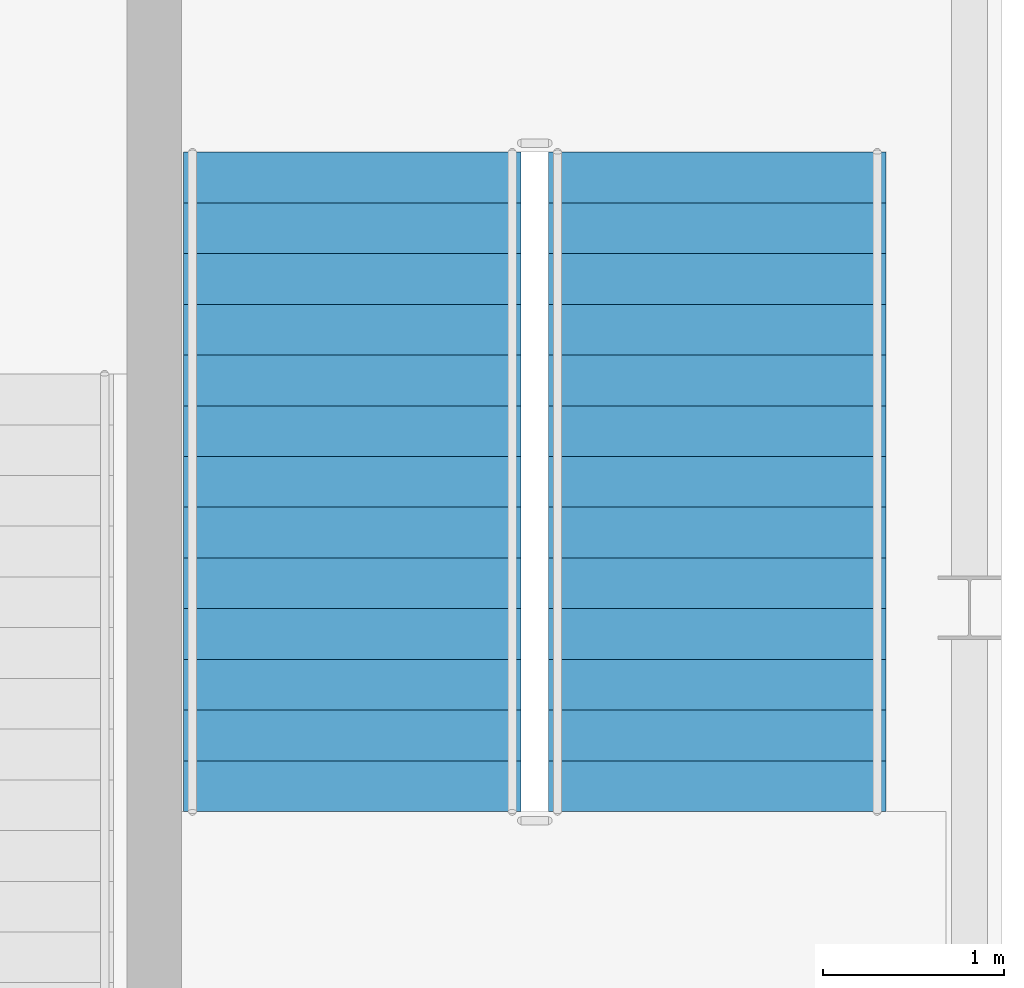
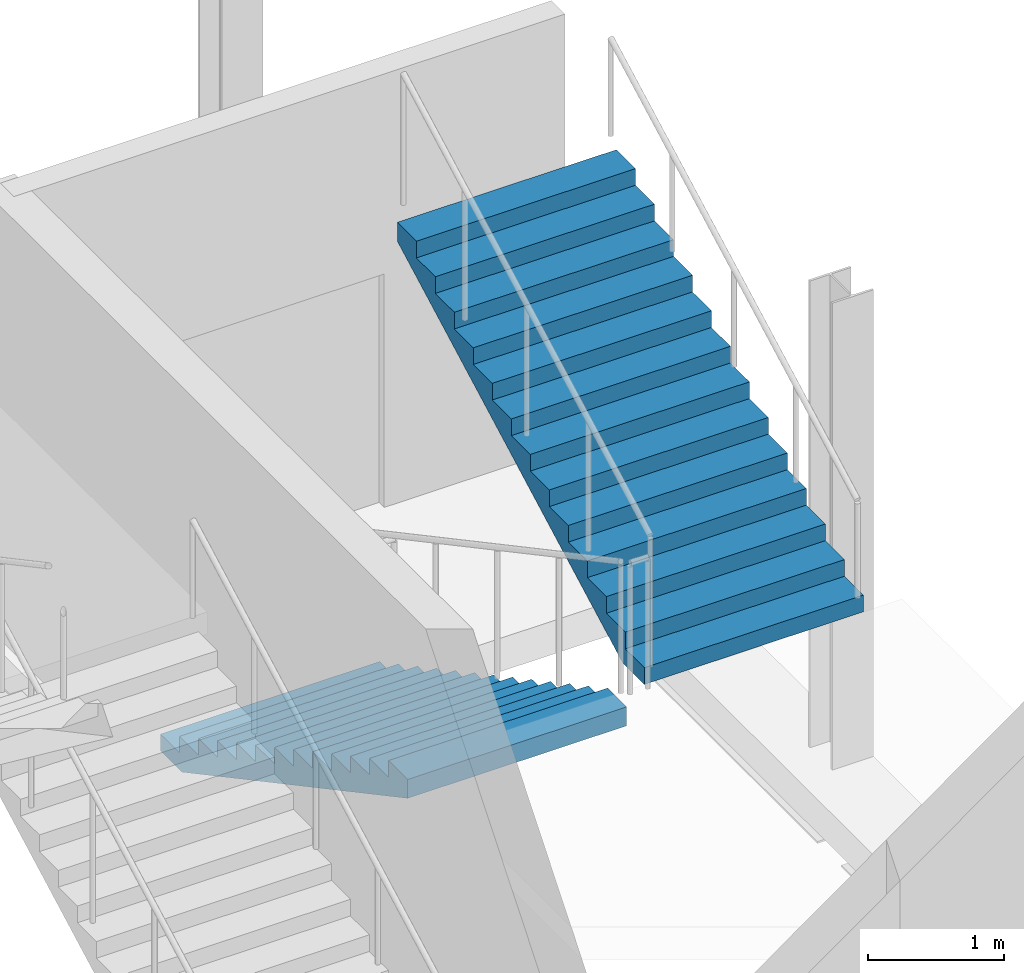
# One storey, part 5 of 6: 2 stair flights, 1 element without a shape of its own.
"""IFC4 building model written with IfcOpenShell, lengths in metres."""

from ifc_helpers import new_model, si_unit, direction, frame, origin, place, context, subcontext, project, spatial, polygons, material, type_object, element, aggregate, save


model = new_model("IFC4")

# Units and contexts
model_context = context("Model", 3, precision=1e-05, world=origin(), true_north=direction((0.0, 1.0)))
body_context = subcontext(model_context, "Body", "Model", "MODEL_VIEW")
ifc_project = project(units=[si_unit("LENGTHUNIT", "METRE"), si_unit("AREAUNIT", "SQUARE_METRE"), si_unit("VOLUMEUNIT", "CUBIC_METRE"), si_unit("PLANEANGLEUNIT", "RADIAN"), si_unit("MASSUNIT", "GRAM", prefix="KILO")], contexts=[model_context])

# Site, building, storey
site_placement = place(None, origin())
site = spatial("IfcSite", under=ifc_project, at=site_placement, CompositionType="ELEMENT")
building_placement = place(site_placement, origin())
building = spatial("IfcBuilding", under=site, at=building_placement, Name="Caravel Reach Hotel and Residences", CompositionType="ELEMENT")
storey_placement = place(building_placement, frame((0.0, 0.0, 321.199951171875)))
storey = spatial("IfcBuildingStorey", under=building, at=storey_placement, Name="L81", CompositionType="ELEMENT", Elevation=321.199951171875)

# Stair, stair flights
ifc_material_1 = material(Name="Concrete C40", Category="concrete")
stair_type = type_object("IfcStairType", Name="Core stair", PredefinedType="HALF_TURN_STAIR", material=ifc_material_1)
stair_placement = place(storey_placement, origin())
stair = element("IfcStair", 1, at=stair_placement, inside=storey, type_object=stair_type, Name="L81 Exit stair C", PredefinedType="HALF_TURN_STAIR")
ifc_material_2 = material(Name="Concrete C40", Category="concrete")
stair_flight_type = type_object("IfcStairFlightType", Name="Core stair flight", PredefinedType="STRAIGHT", material=ifc_material_2)
stair_flight_1_placement = place(storey_placement, frame((46.092529296875, 29.514892578125, 0.0), z_axis=(0.0, 0.0, 1.0), x_axis=(0.0, -1.0, 0.0)))
stair_flight_1 = element("IfcStairFlight", 2, at=stair_flight_1_placement, type_object=stair_flight_type, Name="ST-C flight 1", NumberOfRisers=14, NumberOfTreads=13, PredefinedType="STRAIGHT", RiserHeight=0.15, TreadLength=0.28, context=body_context, shape_type="Tessellation", body=[
    polygons([(0.3174408016601862, 0.9324951171875, 0.0), (0.3174408016601862, 0.6216634114583333, 0.0), (0.3174408016601862, 0.31083170572916663, 0.0), (0.3174408016601862, 0.0, 0.0), (0.3174408016601862, -0.31083170572916674, 0.0), (0.3174408016601862, -0.6216634114583333, 0.0), (0.3174408016601862, -0.9324951171875, 0.0), (3.6410000000000005, 0.9324951171875, 1.7799424276820432), (3.6410000000000005, 0.6216634114583333, 1.7799424276820432), (3.6410000000000005, 0.31083170572916663, 1.7799424276820432), (3.6410000000000005, 0.0, 1.7799424276820432), (3.6410000000000005, -0.31083170572916674, 1.7799424276820432), (3.6410000000000005, -0.6216634114583333, 1.7799424276820432), (3.6410000000000005, -0.9324951171875, 1.7799424276820432), (3.6410000000000005, 0.9324951171875, 1.95), (3.6410000000000005, 0.6216634114583333, 1.95), (3.6410000000000005, 0.31083170572916663, 1.95), (3.6410000000000005, 0.0, 1.95), (3.6410000000000005, -0.31083170572916674, 1.95), (3.6410000000000005, -0.6216634114583333, 1.95), (3.6410000000000005, -0.9324951171875, 1.95), (3.3600000000000003, 0.9324951171875, 1.95), (3.3600000000000003, 0.6216634114583333, 1.95), (3.3600000000000003, 0.31083170572916663, 1.95), (3.3600000000000003, 0.0, 1.95), (3.3600000000000003, -0.31083170572916674, 1.95), (3.3600000000000003, -0.6216634114583333, 1.95), (3.3600000000000003, -0.9324951171875, 1.95), (3.3600000000000003, 0.9324951171875, 1.7999999999999998), (3.3600000000000003, 0.6216634114583333, 1.7999999999999998), (3.3600000000000003, 0.31083170572916663, 1.7999999999999998), (3.3600000000000003, 0.0, 1.7999999999999998), (3.3600000000000003, -0.31083170572916674, 1.7999999999999998), (3.3600000000000003, -0.6216634114583333, 1.7999999999999998), (3.3600000000000003, -0.9324951171875, 1.7999999999999998), (3.08, 0.9324951171875, 1.7999999999999998), (3.08, 0.6216634114583333, 1.7999999999999998), (3.08, 0.31083170572916663, 1.7999999999999998), (3.08, 0.0, 1.7999999999999998), (3.08, -0.31083170572916674, 1.7999999999999998), (3.08, -0.6216634114583333, 1.7999999999999998), (3.08, -0.9324951171875, 1.7999999999999998), (3.08, 0.9324951171875, 1.65), (3.08, 0.6216634114583333, 1.65), (3.08, 0.31083170572916663, 1.65), (3.08, 0.0, 1.65), (3.08, -0.31083170572916674, 1.65), (3.08, -0.6216634114583333, 1.65), (3.08, -0.9324951171875, 1.65), (2.8000000000000003, 0.9324951171875, 1.65), (2.8000000000000003, 0.6216634114583333, 1.65), (2.8000000000000003, 0.31083170572916663, 1.65), (2.8000000000000003, 0.0, 1.65), (2.8000000000000003, -0.31083170572916674, 1.65), (2.8000000000000003, -0.6216634114583333, 1.65), (2.8000000000000003, -0.9324951171875, 1.65), (2.8000000000000003, 0.9324951171875, 1.5), (2.8000000000000003, 0.6216634114583333, 1.5), (2.8000000000000003, 0.31083170572916663, 1.5), (2.8000000000000003, 0.0, 1.5), (2.8000000000000003, -0.31083170572916674, 1.5), (2.8000000000000003, -0.6216634114583333, 1.5), (2.8000000000000003, -0.9324951171875, 1.5), (2.5200000000000005, 0.9324951171875, 1.5), (2.5200000000000005, 0.6216634114583333, 1.5), (2.5200000000000005, 0.31083170572916663, 1.5), (2.5200000000000005, 0.0, 1.5), (2.5200000000000005, -0.31083170572916674, 1.5), (2.5200000000000005, -0.6216634114583333, 1.5), (2.5200000000000005, -0.9324951171875, 1.5), (2.5200000000000005, 0.9324951171875, 1.3499999999999999), (2.5200000000000005, 0.6216634114583333, 1.3499999999999999), (2.5200000000000005, 0.31083170572916663, 1.3499999999999999), (2.5200000000000005, 0.0, 1.3499999999999999), (2.5200000000000005, -0.31083170572916674, 1.3499999999999999), (2.5200000000000005, -0.6216634114583333, 1.3499999999999999), (2.5200000000000005, -0.9324951171875, 1.3499999999999999), (2.24, 0.9324951171875, 1.3499999999999999), (2.24, 0.6216634114583333, 1.3499999999999999), (2.24, 0.31083170572916663, 1.3499999999999999), (2.24, 0.0, 1.3499999999999999), (2.24, -0.31083170572916674, 1.3499999999999999), (2.24, -0.6216634114583333, 1.3499999999999999), (2.24, -0.9324951171875, 1.3499999999999999), (2.24, 0.9324951171875, 1.2), (2.24, 0.6216634114583333, 1.2), (2.24, 0.31083170572916663, 1.2), (2.24, 0.0, 1.2), (2.24, -0.31083170572916674, 1.2), (2.24, -0.6216634114583333, 1.2), (2.24, -0.9324951171875, 1.2), (1.9600000000000002, 0.9324951171875, 1.2), (1.9600000000000002, 0.6216634114583333, 1.2), (1.9600000000000002, 0.31083170572916663, 1.2), (1.9600000000000002, 0.0, 1.2), (1.9600000000000002, -0.31083170572916674, 1.2), (1.9600000000000002, -0.6216634114583333, 1.2), (1.9600000000000002, -0.9324951171875, 1.2), (1.9600000000000002, 0.9324951171875, 1.05), (1.9600000000000002, 0.6216634114583333, 1.05), (1.9600000000000002, 0.31083170572916663, 1.05), (1.9600000000000002, 0.0, 1.05), (1.9600000000000002, -0.31083170572916674, 1.05), (1.9600000000000002, -0.6216634114583333, 1.05), (1.9600000000000002, -0.9324951171875, 1.05), (1.6800000000000002, 0.9324951171875, 1.05), (1.6800000000000002, 0.6216634114583333, 1.05), (1.6800000000000002, 0.31083170572916663, 1.05), (1.6800000000000002, 0.0, 1.05), (1.6800000000000002, -0.31083170572916674, 1.05), (1.6800000000000002, -0.6216634114583333, 1.05), (1.6800000000000002, -0.9324951171875, 1.05), (1.6800000000000002, 0.9324951171875, 0.8999999999999999), (1.6800000000000002, 0.6216634114583333, 0.8999999999999999), (1.6800000000000002, 0.31083170572916663, 0.8999999999999999), (1.6800000000000002, 0.0, 0.8999999999999999), (1.6800000000000002, -0.31083170572916674, 0.8999999999999999), (1.6800000000000002, -0.6216634114583333, 0.8999999999999999), (1.6800000000000002, -0.9324951171875, 0.8999999999999999), (1.4000000000000001, 0.9324951171875, 0.8999999999999999), (1.4000000000000001, 0.6216634114583333, 0.8999999999999999), (1.4000000000000001, 0.31083170572916663, 0.8999999999999999), (1.4000000000000001, 0.0, 0.8999999999999999), (1.4000000000000001, -0.31083170572916674, 0.8999999999999999), (1.4000000000000001, -0.6216634114583333, 0.8999999999999999), (1.4000000000000001, -0.9324951171875, 0.8999999999999999), (1.4000000000000001, 0.9324951171875, 0.75), (1.4000000000000001, 0.6216634114583333, 0.75), (1.4000000000000001, 0.31083170572916663, 0.75), (1.4000000000000001, 0.0, 0.75), (1.4000000000000001, -0.31083170572916674, 0.75), (1.4000000000000001, -0.6216634114583333, 0.75), (1.4000000000000001, -0.9324951171875, 0.75), (1.12, 0.9324951171875, 0.75), (1.12, 0.6216634114583333, 0.75), (1.12, 0.31083170572916663, 0.75), (1.12, 0.0, 0.75), (1.12, -0.31083170572916674, 0.75), (1.12, -0.6216634114583333, 0.75), (1.12, -0.9324951171875, 0.75), (1.12, 0.9324951171875, 0.6), (1.12, 0.6216634114583333, 0.6), (1.12, 0.31083170572916663, 0.6), (1.12, 0.0, 0.6), (1.12, -0.31083170572916674, 0.6), (1.12, -0.6216634114583333, 0.6), (1.12, -0.9324951171875, 0.6), (0.8400000000000001, 0.9324951171875, 0.6), (0.8400000000000001, 0.6216634114583333, 0.6), (0.8400000000000001, 0.31083170572916663, 0.6), (0.8400000000000001, 0.0, 0.6), (0.8400000000000001, -0.31083170572916674, 0.6), (0.8400000000000001, -0.6216634114583333, 0.6), (0.8400000000000001, -0.9324951171875, 0.6), (0.8400000000000001, 0.9324951171875, 0.44999999999999996), (0.8400000000000001, 0.6216634114583333, 0.44999999999999996), (0.8400000000000001, 0.31083170572916663, 0.44999999999999996), (0.8400000000000001, 0.0, 0.44999999999999996), (0.8400000000000001, -0.31083170572916674, 0.44999999999999996), (0.8400000000000001, -0.6216634114583333, 0.44999999999999996), (0.8400000000000001, -0.9324951171875, 0.44999999999999996), (0.56, 0.9324951171875, 0.44999999999999996), (0.56, 0.6216634114583333, 0.44999999999999996), (0.56, 0.31083170572916663, 0.44999999999999996), (0.56, 0.0, 0.44999999999999996), (0.56, -0.31083170572916674, 0.44999999999999996), (0.56, -0.6216634114583333, 0.44999999999999996), (0.56, -0.9324951171875, 0.44999999999999996), (0.56, 0.9324951171875, 0.3), (0.56, 0.6216634114583333, 0.3), (0.56, 0.31083170572916663, 0.3), (0.56, 0.0, 0.3), (0.56, -0.31083170572916674, 0.3), (0.56, -0.6216634114583333, 0.3), (0.56, -0.9324951171875, 0.3), (0.28, 0.9324951171875, 0.3), (0.28, 0.6216634114583333, 0.3), (0.28, 0.31083170572916663, 0.3), (0.28, 0.0, 0.3), (0.28, -0.31083170572916674, 0.3), (0.28, -0.6216634114583333, 0.3), (0.28, -0.9324951171875, 0.3), (0.28, 0.9324951171875, 0.15), (0.28, 0.6216634114583333, 0.15), (0.28, 0.31083170572916663, 0.15), (0.28, 0.0, 0.15), (0.28, -0.31083170572916674, 0.15), (0.28, -0.6216634114583333, 0.15), (0.28, -0.9324951171875, 0.15), (-0.001, 0.9324951171875, 0.15), (-0.001, 0.6216634114583333, 0.15), (-0.001, 0.31083170572916663, 0.15), (-0.001, 0.0, 0.15), (-0.001, -0.31083170572916674, 0.15), (-0.001, -0.6216634114583333, 0.15), (-0.001, -0.9324951171875, 0.15), (-0.001, 0.9324951171875, 0.0), (-0.001, 0.6216634114583333, 0.0), (-0.001, 0.31083170572916663, 0.0), (-0.001, 0.0, 0.0), (-0.001, -0.31083170572916674, 0.0), (-0.001, -0.6216634114583333, 0.0), (-0.001, -0.9324951171875, 0.0)], [[[197, 190, 183, 176, 169, 162, 155, 148, 141, 134, 127, 120, 113, 106, 99, 92, 85, 78, 71, 64, 57, 50, 43, 36, 29, 22, 15, 8, 1]], [[7, 14, 21, 28, 35, 42, 49, 56, 63, 70, 77, 84, 91, 98, 105, 112, 119, 126, 133, 140, 147, 154, 161, 168, 175, 182, 189, 196, 203]], [[1, 8, 9, 2]], [[2, 9, 10, 3]], [[3, 10, 11, 4]], [[4, 11, 12, 5]], [[5, 12, 13, 6]], [[6, 13, 14, 7]], [[8, 15, 16, 9]], [[9, 16, 17, 10]], [[10, 17, 18, 11]], [[11, 18, 19, 12]], [[12, 19, 20, 13]], [[13, 20, 21, 14]], [[15, 22, 23, 16]], [[16, 23, 24, 17]], [[17, 24, 25, 18]], [[18, 25, 26, 19]], [[19, 26, 27, 20]], [[20, 27, 28, 21]], [[22, 29, 30, 23]], [[23, 30, 31, 24]], [[24, 31, 32, 25]], [[25, 32, 33, 26]], [[26, 33, 34, 27]], [[27, 34, 35, 28]], [[29, 36, 37, 30]], [[30, 37, 38, 31]], [[31, 38, 39, 32]], [[32, 39, 40, 33]], [[33, 40, 41, 34]], [[34, 41, 42, 35]], [[36, 43, 44, 37]], [[37, 44, 45, 38]], [[38, 45, 46, 39]], [[39, 46, 47, 40]], [[40, 47, 48, 41]], [[41, 48, 49, 42]], [[43, 50, 51, 44]], [[44, 51, 52, 45]], [[45, 52, 53, 46]], [[46, 53, 54, 47]], [[47, 54, 55, 48]], [[48, 55, 56, 49]], [[50, 57, 58, 51]], [[51, 58, 59, 52]], [[52, 59, 60, 53]], [[53, 60, 61, 54]], [[54, 61, 62, 55]], [[55, 62, 63, 56]], [[57, 64, 65, 58]], [[58, 65, 66, 59]], [[59, 66, 67, 60]], [[60, 67, 68, 61]], [[61, 68, 69, 62]], [[62, 69, 70, 63]], [[64, 71, 72, 65]], [[65, 72, 73, 66]], [[66, 73, 74, 67]], [[67, 74, 75, 68]], [[68, 75, 76, 69]], [[69, 76, 77, 70]], [[71, 78, 79, 72]], [[72, 79, 80, 73]], [[73, 80, 81, 74]], [[74, 81, 82, 75]], [[75, 82, 83, 76]], [[76, 83, 84, 77]], [[78, 85, 86, 79]], [[79, 86, 87, 80]], [[80, 87, 88, 81]], [[81, 88, 89, 82]], [[82, 89, 90, 83]], [[83, 90, 91, 84]], [[85, 92, 93, 86]], [[86, 93, 94, 87]], [[87, 94, 95, 88]], [[88, 95, 96, 89]], [[89, 96, 97, 90]], [[90, 97, 98, 91]], [[92, 99, 100, 93]], [[93, 100, 101, 94]], [[94, 101, 102, 95]], [[95, 102, 103, 96]], [[96, 103, 104, 97]], [[97, 104, 105, 98]], [[99, 106, 107, 100]], [[100, 107, 108, 101]], [[101, 108, 109, 102]], [[102, 109, 110, 103]], [[103, 110, 111, 104]], [[104, 111, 112, 105]], [[106, 113, 114, 107]], [[107, 114, 115, 108]], [[108, 115, 116, 109]], [[109, 116, 117, 110]], [[110, 117, 118, 111]], [[111, 118, 119, 112]], [[113, 120, 121, 114]], [[114, 121, 122, 115]], [[115, 122, 123, 116]], [[116, 123, 124, 117]], [[117, 124, 125, 118]], [[118, 125, 126, 119]], [[120, 127, 128, 121]], [[121, 128, 129, 122]], [[122, 129, 130, 123]], [[123, 130, 131, 124]], [[124, 131, 132, 125]], [[125, 132, 133, 126]], [[127, 134, 135, 128]], [[128, 135, 136, 129]], [[129, 136, 137, 130]], [[130, 137, 138, 131]], [[131, 138, 139, 132]], [[132, 139, 140, 133]], [[134, 141, 142, 135]], [[135, 142, 143, 136]], [[136, 143, 144, 137]], [[137, 144, 145, 138]], [[138, 145, 146, 139]], [[139, 146, 147, 140]], [[141, 148, 149, 142]], [[142, 149, 150, 143]], [[143, 150, 151, 144]], [[144, 151, 152, 145]], [[145, 152, 153, 146]], [[146, 153, 154, 147]], [[148, 155, 156, 149]], [[149, 156, 157, 150]], [[150, 157, 158, 151]], [[151, 158, 159, 152]], [[152, 159, 160, 153]], [[153, 160, 161, 154]], [[155, 162, 163, 156]], [[156, 163, 164, 157]], [[157, 164, 165, 158]], [[158, 165, 166, 159]], [[159, 166, 167, 160]], [[160, 167, 168, 161]], [[162, 169, 170, 163]], [[163, 170, 171, 164]], [[164, 171, 172, 165]], [[165, 172, 173, 166]], [[166, 173, 174, 167]], [[167, 174, 175, 168]], [[169, 176, 177, 170]], [[170, 177, 178, 171]], [[171, 178, 179, 172]], [[172, 179, 180, 173]], [[173, 180, 181, 174]], [[174, 181, 182, 175]], [[176, 183, 184, 177]], [[177, 184, 185, 178]], [[178, 185, 186, 179]], [[179, 186, 187, 180]], [[180, 187, 188, 181]], [[181, 188, 189, 182]], [[183, 190, 191, 184]], [[184, 191, 192, 185]], [[185, 192, 193, 186]], [[186, 193, 194, 187]], [[187, 194, 195, 188]], [[188, 195, 196, 189]], [[190, 197, 198, 191]], [[191, 198, 199, 192]], [[192, 199, 200, 193]], [[193, 200, 201, 194]], [[194, 201, 202, 195]], [[195, 202, 203, 196]], [[197, 1, 2, 198]], [[198, 2, 3, 199]], [[199, 3, 4, 200]], [[200, 4, 5, 201]], [[201, 5, 6, 202]], [[202, 6, 7, 203]]], closed=True),
])
stair_flight_2_placement = place(storey_placement, frame((48.107421875, 25.875, 2.10009765625), z_axis=(0.0, 0.0, 1.0), x_axis=(0.0, 1.0, 0.0)))
stair_flight_2 = element("IfcStairFlight", 3, at=stair_flight_2_placement, type_object=stair_flight_type, Name="ST-C flight 2", NumberOfRisers=14, NumberOfTreads=13, PredefinedType="STRAIGHT", RiserHeight=0.15, TreadLength=0.28, context=body_context, shape_type="Tessellation", body=[
    polygons([(0.3174408016601862, 0.9324951171875, 0.0), (0.3174408016601862, 0.6216634114583333, 0.0), (0.3174408016601862, 0.31083170572916663, 0.0), (0.3174408016601862, 0.0, 0.0), (0.3174408016601862, -0.31083170572916674, 0.0), (0.3174408016601862, -0.6216634114583333, 0.0), (0.3174408016601862, -0.9324951171875, 0.0), (3.6410000000000005, 0.9324951171875, 1.7799424276820432), (3.6410000000000005, 0.6216634114583333, 1.7799424276820432), (3.6410000000000005, 0.31083170572916663, 1.7799424276820432), (3.6410000000000005, 0.0, 1.7799424276820432), (3.6410000000000005, -0.31083170572916674, 1.7799424276820432), (3.6410000000000005, -0.6216634114583333, 1.7799424276820432), (3.6410000000000005, -0.9324951171875, 1.7799424276820432), (3.6410000000000005, 0.9324951171875, 1.95), (3.6410000000000005, 0.6216634114583333, 1.95), (3.6410000000000005, 0.31083170572916663, 1.95), (3.6410000000000005, 0.0, 1.95), (3.6410000000000005, -0.31083170572916674, 1.95), (3.6410000000000005, -0.6216634114583333, 1.95), (3.6410000000000005, -0.9324951171875, 1.95), (3.3600000000000003, 0.9324951171875, 1.95), (3.3600000000000003, 0.6216634114583333, 1.95), (3.3600000000000003, 0.31083170572916663, 1.95), (3.3600000000000003, 0.0, 1.95), (3.3600000000000003, -0.31083170572916674, 1.95), (3.3600000000000003, -0.6216634114583333, 1.95), (3.3600000000000003, -0.9324951171875, 1.95), (3.3600000000000003, 0.9324951171875, 1.7999999999999998), (3.3600000000000003, 0.6216634114583333, 1.7999999999999998), (3.3600000000000003, 0.31083170572916663, 1.7999999999999998), (3.3600000000000003, 0.0, 1.7999999999999998), (3.3600000000000003, -0.31083170572916674, 1.7999999999999998), (3.3600000000000003, -0.6216634114583333, 1.7999999999999998), (3.3600000000000003, -0.9324951171875, 1.7999999999999998), (3.08, 0.9324951171875, 1.7999999999999998), (3.08, 0.6216634114583333, 1.7999999999999998), (3.08, 0.31083170572916663, 1.7999999999999998), (3.08, 0.0, 1.7999999999999998), (3.08, -0.31083170572916674, 1.7999999999999998), (3.08, -0.6216634114583333, 1.7999999999999998), (3.08, -0.9324951171875, 1.7999999999999998), (3.08, 0.9324951171875, 1.65), (3.08, 0.6216634114583333, 1.65), (3.08, 0.31083170572916663, 1.65), (3.08, 0.0, 1.65), (3.08, -0.31083170572916674, 1.65), (3.08, -0.6216634114583333, 1.65), (3.08, -0.9324951171875, 1.65), (2.8000000000000003, 0.9324951171875, 1.65), (2.8000000000000003, 0.6216634114583333, 1.65), (2.8000000000000003, 0.31083170572916663, 1.65), (2.8000000000000003, 0.0, 1.65), (2.8000000000000003, -0.31083170572916674, 1.65), (2.8000000000000003, -0.6216634114583333, 1.65), (2.8000000000000003, -0.9324951171875, 1.65), (2.8000000000000003, 0.9324951171875, 1.5), (2.8000000000000003, 0.6216634114583333, 1.5), (2.8000000000000003, 0.31083170572916663, 1.5), (2.8000000000000003, 0.0, 1.5), (2.8000000000000003, -0.31083170572916674, 1.5), (2.8000000000000003, -0.6216634114583333, 1.5), (2.8000000000000003, -0.9324951171875, 1.5), (2.5200000000000005, 0.9324951171875, 1.5), (2.5200000000000005, 0.6216634114583333, 1.5), (2.5200000000000005, 0.31083170572916663, 1.5), (2.5200000000000005, 0.0, 1.5), (2.5200000000000005, -0.31083170572916674, 1.5), (2.5200000000000005, -0.6216634114583333, 1.5), (2.5200000000000005, -0.9324951171875, 1.5), (2.5200000000000005, 0.9324951171875, 1.3499999999999999), (2.5200000000000005, 0.6216634114583333, 1.3499999999999999), (2.5200000000000005, 0.31083170572916663, 1.3499999999999999), (2.5200000000000005, 0.0, 1.3499999999999999), (2.5200000000000005, -0.31083170572916674, 1.3499999999999999), (2.5200000000000005, -0.6216634114583333, 1.3499999999999999), (2.5200000000000005, -0.9324951171875, 1.3499999999999999), (2.24, 0.9324951171875, 1.3499999999999999), (2.24, 0.6216634114583333, 1.3499999999999999), (2.24, 0.31083170572916663, 1.3499999999999999), (2.24, 0.0, 1.3499999999999999), (2.24, -0.31083170572916674, 1.3499999999999999), (2.24, -0.6216634114583333, 1.3499999999999999), (2.24, -0.9324951171875, 1.3499999999999999), (2.24, 0.9324951171875, 1.2), (2.24, 0.6216634114583333, 1.2), (2.24, 0.31083170572916663, 1.2), (2.24, 0.0, 1.2), (2.24, -0.31083170572916674, 1.2), (2.24, -0.6216634114583333, 1.2), (2.24, -0.9324951171875, 1.2), (1.9600000000000002, 0.9324951171875, 1.2), (1.9600000000000002, 0.6216634114583333, 1.2), (1.9600000000000002, 0.31083170572916663, 1.2), (1.9600000000000002, 0.0, 1.2), (1.9600000000000002, -0.31083170572916674, 1.2), (1.9600000000000002, -0.6216634114583333, 1.2), (1.9600000000000002, -0.9324951171875, 1.2), (1.9600000000000002, 0.9324951171875, 1.05), (1.9600000000000002, 0.6216634114583333, 1.05), (1.9600000000000002, 0.31083170572916663, 1.05), (1.9600000000000002, 0.0, 1.05), (1.9600000000000002, -0.31083170572916674, 1.05), (1.9600000000000002, -0.6216634114583333, 1.05), (1.9600000000000002, -0.9324951171875, 1.05), (1.6800000000000002, 0.9324951171875, 1.05), (1.6800000000000002, 0.6216634114583333, 1.05), (1.6800000000000002, 0.31083170572916663, 1.05), (1.6800000000000002, 0.0, 1.05), (1.6800000000000002, -0.31083170572916674, 1.05), (1.6800000000000002, -0.6216634114583333, 1.05), (1.6800000000000002, -0.9324951171875, 1.05), (1.6800000000000002, 0.9324951171875, 0.8999999999999999), (1.6800000000000002, 0.6216634114583333, 0.8999999999999999), (1.6800000000000002, 0.31083170572916663, 0.8999999999999999), (1.6800000000000002, 0.0, 0.8999999999999999), (1.6800000000000002, -0.31083170572916674, 0.8999999999999999), (1.6800000000000002, -0.6216634114583333, 0.8999999999999999), (1.6800000000000002, -0.9324951171875, 0.8999999999999999), (1.4000000000000001, 0.9324951171875, 0.8999999999999999), (1.4000000000000001, 0.6216634114583333, 0.8999999999999999), (1.4000000000000001, 0.31083170572916663, 0.8999999999999999), (1.4000000000000001, 0.0, 0.8999999999999999), (1.4000000000000001, -0.31083170572916674, 0.8999999999999999), (1.4000000000000001, -0.6216634114583333, 0.8999999999999999), (1.4000000000000001, -0.9324951171875, 0.8999999999999999), (1.4000000000000001, 0.9324951171875, 0.75), (1.4000000000000001, 0.6216634114583333, 0.75), (1.4000000000000001, 0.31083170572916663, 0.75), (1.4000000000000001, 0.0, 0.75), (1.4000000000000001, -0.31083170572916674, 0.75), (1.4000000000000001, -0.6216634114583333, 0.75), (1.4000000000000001, -0.9324951171875, 0.75), (1.12, 0.9324951171875, 0.75), (1.12, 0.6216634114583333, 0.75), (1.12, 0.31083170572916663, 0.75), (1.12, 0.0, 0.75), (1.12, -0.31083170572916674, 0.75), (1.12, -0.6216634114583333, 0.75), (1.12, -0.9324951171875, 0.75), (1.12, 0.9324951171875, 0.6), (1.12, 0.6216634114583333, 0.6), (1.12, 0.31083170572916663, 0.6), (1.12, 0.0, 0.6), (1.12, -0.31083170572916674, 0.6), (1.12, -0.6216634114583333, 0.6), (1.12, -0.9324951171875, 0.6), (0.8400000000000001, 0.9324951171875, 0.6), (0.8400000000000001, 0.6216634114583333, 0.6), (0.8400000000000001, 0.31083170572916663, 0.6), (0.8400000000000001, 0.0, 0.6), (0.8400000000000001, -0.31083170572916674, 0.6), (0.8400000000000001, -0.6216634114583333, 0.6), (0.8400000000000001, -0.9324951171875, 0.6), (0.8400000000000001, 0.9324951171875, 0.44999999999999996), (0.8400000000000001, 0.6216634114583333, 0.44999999999999996), (0.8400000000000001, 0.31083170572916663, 0.44999999999999996), (0.8400000000000001, 0.0, 0.44999999999999996), (0.8400000000000001, -0.31083170572916674, 0.44999999999999996), (0.8400000000000001, -0.6216634114583333, 0.44999999999999996), (0.8400000000000001, -0.9324951171875, 0.44999999999999996), (0.56, 0.9324951171875, 0.44999999999999996), (0.56, 0.6216634114583333, 0.44999999999999996), (0.56, 0.31083170572916663, 0.44999999999999996), (0.56, 0.0, 0.44999999999999996), (0.56, -0.31083170572916674, 0.44999999999999996), (0.56, -0.6216634114583333, 0.44999999999999996), (0.56, -0.9324951171875, 0.44999999999999996), (0.56, 0.9324951171875, 0.3), (0.56, 0.6216634114583333, 0.3), (0.56, 0.31083170572916663, 0.3), (0.56, 0.0, 0.3), (0.56, -0.31083170572916674, 0.3), (0.56, -0.6216634114583333, 0.3), (0.56, -0.9324951171875, 0.3), (0.28, 0.9324951171875, 0.3), (0.28, 0.6216634114583333, 0.3), (0.28, 0.31083170572916663, 0.3), (0.28, 0.0, 0.3), (0.28, -0.31083170572916674, 0.3), (0.28, -0.6216634114583333, 0.3), (0.28, -0.9324951171875, 0.3), (0.28, 0.9324951171875, 0.15), (0.28, 0.6216634114583333, 0.15), (0.28, 0.31083170572916663, 0.15), (0.28, 0.0, 0.15), (0.28, -0.31083170572916674, 0.15), (0.28, -0.6216634114583333, 0.15), (0.28, -0.9324951171875, 0.15), (-0.001, 0.9324951171875, 0.15), (-0.001, 0.6216634114583333, 0.15), (-0.001, 0.31083170572916663, 0.15), (-0.001, 0.0, 0.15), (-0.001, -0.31083170572916674, 0.15), (-0.001, -0.6216634114583333, 0.15), (-0.001, -0.9324951171875, 0.15), (-0.001, 0.9324951171875, 0.0), (-0.001, 0.6216634114583333, 0.0), (-0.001, 0.31083170572916663, 0.0), (-0.001, 0.0, 0.0), (-0.001, -0.31083170572916674, 0.0), (-0.001, -0.6216634114583333, 0.0), (-0.001, -0.9324951171875, 0.0)], [[[197, 190, 183, 176, 169, 162, 155, 148, 141, 134, 127, 120, 113, 106, 99, 92, 85, 78, 71, 64, 57, 50, 43, 36, 29, 22, 15, 8, 1]], [[7, 14, 21, 28, 35, 42, 49, 56, 63, 70, 77, 84, 91, 98, 105, 112, 119, 126, 133, 140, 147, 154, 161, 168, 175, 182, 189, 196, 203]], [[1, 8, 9, 2]], [[2, 9, 10, 3]], [[3, 10, 11, 4]], [[4, 11, 12, 5]], [[5, 12, 13, 6]], [[6, 13, 14, 7]], [[8, 15, 16, 9]], [[9, 16, 17, 10]], [[10, 17, 18, 11]], [[11, 18, 19, 12]], [[12, 19, 20, 13]], [[13, 20, 21, 14]], [[15, 22, 23, 16]], [[16, 23, 24, 17]], [[17, 24, 25, 18]], [[18, 25, 26, 19]], [[19, 26, 27, 20]], [[20, 27, 28, 21]], [[22, 29, 30, 23]], [[23, 30, 31, 24]], [[24, 31, 32, 25]], [[25, 32, 33, 26]], [[26, 33, 34, 27]], [[27, 34, 35, 28]], [[29, 36, 37, 30]], [[30, 37, 38, 31]], [[31, 38, 39, 32]], [[32, 39, 40, 33]], [[33, 40, 41, 34]], [[34, 41, 42, 35]], [[36, 43, 44, 37]], [[37, 44, 45, 38]], [[38, 45, 46, 39]], [[39, 46, 47, 40]], [[40, 47, 48, 41]], [[41, 48, 49, 42]], [[43, 50, 51, 44]], [[44, 51, 52, 45]], [[45, 52, 53, 46]], [[46, 53, 54, 47]], [[47, 54, 55, 48]], [[48, 55, 56, 49]], [[50, 57, 58, 51]], [[51, 58, 59, 52]], [[52, 59, 60, 53]], [[53, 60, 61, 54]], [[54, 61, 62, 55]], [[55, 62, 63, 56]], [[57, 64, 65, 58]], [[58, 65, 66, 59]], [[59, 66, 67, 60]], [[60, 67, 68, 61]], [[61, 68, 69, 62]], [[62, 69, 70, 63]], [[64, 71, 72, 65]], [[65, 72, 73, 66]], [[66, 73, 74, 67]], [[67, 74, 75, 68]], [[68, 75, 76, 69]], [[69, 76, 77, 70]], [[71, 78, 79, 72]], [[72, 79, 80, 73]], [[73, 80, 81, 74]], [[74, 81, 82, 75]], [[75, 82, 83, 76]], [[76, 83, 84, 77]], [[78, 85, 86, 79]], [[79, 86, 87, 80]], [[80, 87, 88, 81]], [[81, 88, 89, 82]], [[82, 89, 90, 83]], [[83, 90, 91, 84]], [[85, 92, 93, 86]], [[86, 93, 94, 87]], [[87, 94, 95, 88]], [[88, 95, 96, 89]], [[89, 96, 97, 90]], [[90, 97, 98, 91]], [[92, 99, 100, 93]], [[93, 100, 101, 94]], [[94, 101, 102, 95]], [[95, 102, 103, 96]], [[96, 103, 104, 97]], [[97, 104, 105, 98]], [[99, 106, 107, 100]], [[100, 107, 108, 101]], [[101, 108, 109, 102]], [[102, 109, 110, 103]], [[103, 110, 111, 104]], [[104, 111, 112, 105]], [[106, 113, 114, 107]], [[107, 114, 115, 108]], [[108, 115, 116, 109]], [[109, 116, 117, 110]], [[110, 117, 118, 111]], [[111, 118, 119, 112]], [[113, 120, 121, 114]], [[114, 121, 122, 115]], [[115, 122, 123, 116]], [[116, 123, 124, 117]], [[117, 124, 125, 118]], [[118, 125, 126, 119]], [[120, 127, 128, 121]], [[121, 128, 129, 122]], [[122, 129, 130, 123]], [[123, 130, 131, 124]], [[124, 131, 132, 125]], [[125, 132, 133, 126]], [[127, 134, 135, 128]], [[128, 135, 136, 129]], [[129, 136, 137, 130]], [[130, 137, 138, 131]], [[131, 138, 139, 132]], [[132, 139, 140, 133]], [[134, 141, 142, 135]], [[135, 142, 143, 136]], [[136, 143, 144, 137]], [[137, 144, 145, 138]], [[138, 145, 146, 139]], [[139, 146, 147, 140]], [[141, 148, 149, 142]], [[142, 149, 150, 143]], [[143, 150, 151, 144]], [[144, 151, 152, 145]], [[145, 152, 153, 146]], [[146, 153, 154, 147]], [[148, 155, 156, 149]], [[149, 156, 157, 150]], [[150, 157, 158, 151]], [[151, 158, 159, 152]], [[152, 159, 160, 153]], [[153, 160, 161, 154]], [[155, 162, 163, 156]], [[156, 163, 164, 157]], [[157, 164, 165, 158]], [[158, 165, 166, 159]], [[159, 166, 167, 160]], [[160, 167, 168, 161]], [[162, 169, 170, 163]], [[163, 170, 171, 164]], [[164, 171, 172, 165]], [[165, 172, 173, 166]], [[166, 173, 174, 167]], [[167, 174, 175, 168]], [[169, 176, 177, 170]], [[170, 177, 178, 171]], [[171, 178, 179, 172]], [[172, 179, 180, 173]], [[173, 180, 181, 174]], [[174, 181, 182, 175]], [[176, 183, 184, 177]], [[177, 184, 185, 178]], [[178, 185, 186, 179]], [[179, 186, 187, 180]], [[180, 187, 188, 181]], [[181, 188, 189, 182]], [[183, 190, 191, 184]], [[184, 191, 192, 185]], [[185, 192, 193, 186]], [[186, 193, 194, 187]], [[187, 194, 195, 188]], [[188, 195, 196, 189]], [[190, 197, 198, 191]], [[191, 198, 199, 192]], [[192, 199, 200, 193]], [[193, 200, 201, 194]], [[194, 201, 202, 195]], [[195, 202, 203, 196]], [[197, 1, 2, 198]], [[198, 2, 3, 199]], [[199, 3, 4, 200]], [[200, 4, 5, 201]], [[201, 5, 6, 202]], [[202, 6, 7, 203]]], closed=True),
])
aggregate(stair, [stair_flight_1, stair_flight_2])

save(model, "model.ifc")
